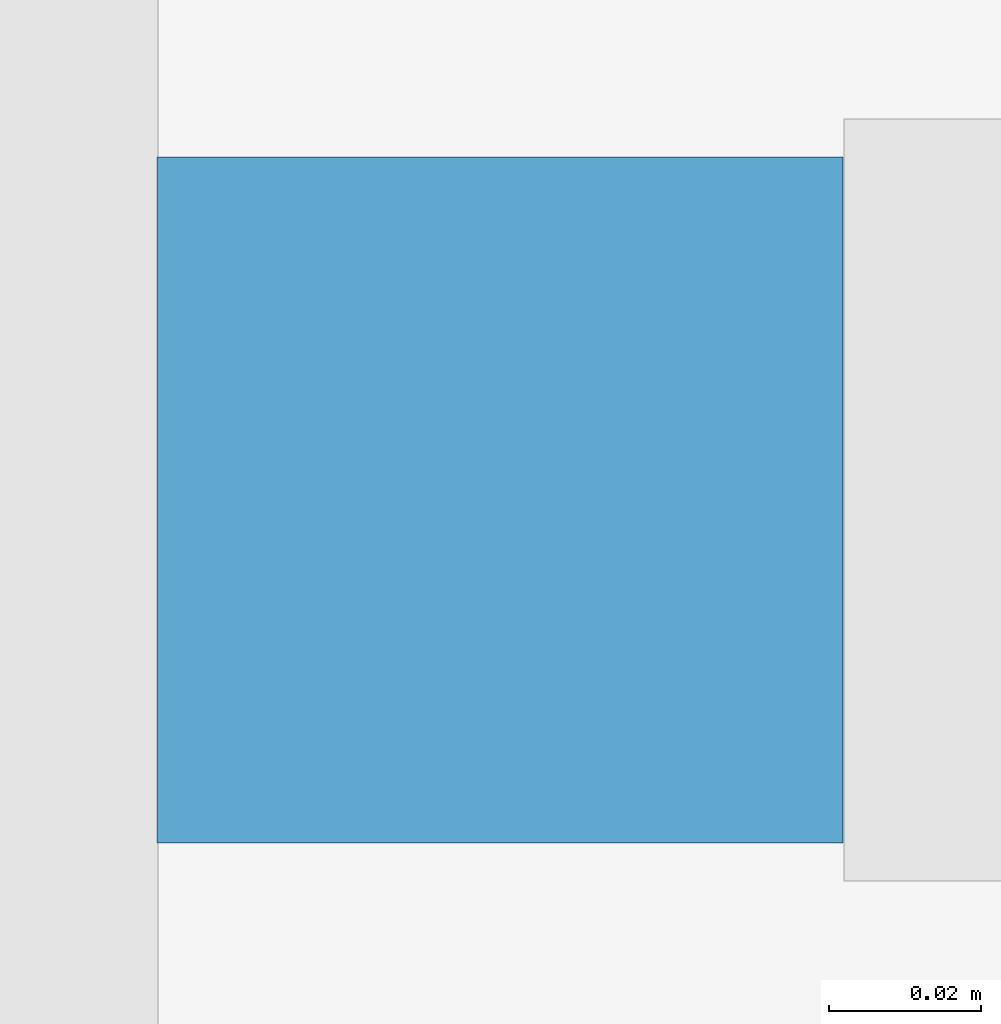
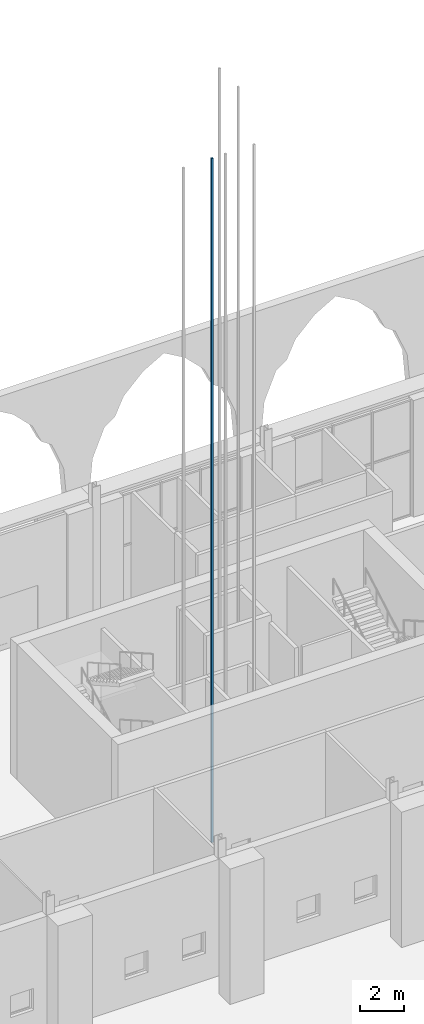
# One storey, part 147 of 250: 1 discrete accessory.
"""IFC4 building model written with IfcOpenShell, lengths in metres."""

from ifc_helpers import new_model, si_unit, direction, frame, origin, origin_2d, place, context, subcontext, project, spatial, rectangle, extrude, material, type_object, element, save


model = new_model("IFC4")

# Units and contexts
model_context = context("Model", 3, precision=1e-05, world=origin(), true_north=direction((0.0, 1.0)))
body_context = subcontext(model_context, "Body", "Model", "MODEL_VIEW")
ifc_project = project(units=[si_unit("LENGTHUNIT", "METRE"), si_unit("AREAUNIT", "SQUARE_METRE"), si_unit("VOLUMEUNIT", "CUBIC_METRE"), si_unit("PLANEANGLEUNIT", "RADIAN"), si_unit("MASSUNIT", "GRAM", prefix="KILO")], contexts=[model_context])

# Site, building, storey
site_placement = place(None, origin())
site = spatial("IfcSite", under=ifc_project, at=site_placement, CompositionType="ELEMENT")
building_placement = place(site_placement, origin())
building = spatial("IfcBuilding", under=site, at=building_placement, Name="Baradari Gate Terminus", CompositionType="ELEMENT")
storey_placement = place(building_placement, origin())
storey = spatial("IfcBuildingStorey", under=building, at=storey_placement, Name="L00", CompositionType="ELEMENT", Elevation=0.0)

# Discrete accessory
ifc_material = material(Name="Steel S355", Category="steel")
discrete_accessory_type = type_object("IfcDiscreteAccessoryType", Name="Lift guide rail GR-L1 90x90", PredefinedType="BRACKET", material=ifc_material)
discrete_accessory_placement = place(storey_placement, frame((32.969970703125, 128.074951171875, -1.599853515625), z_axis=(0.0, 0.0, 1.0), x_axis=(1.0, 0.0, 0.0)))
element("IfcDiscreteAccessory", 1, at=discrete_accessory_placement, inside=storey, type_object=discrete_accessory_type, Name="Lift guide rail LT1 2", PredefinedType="BRACKET", context=body_context, shape_type="SweptSolid", body=[
    extrude(rectangle(XDim=0.090087890625, YDim=0.090087890625, at=origin_2d()), origin(), (0.0, 0.0, 1.0), 37.89990234375),
])

save(model, "model.ifc")
